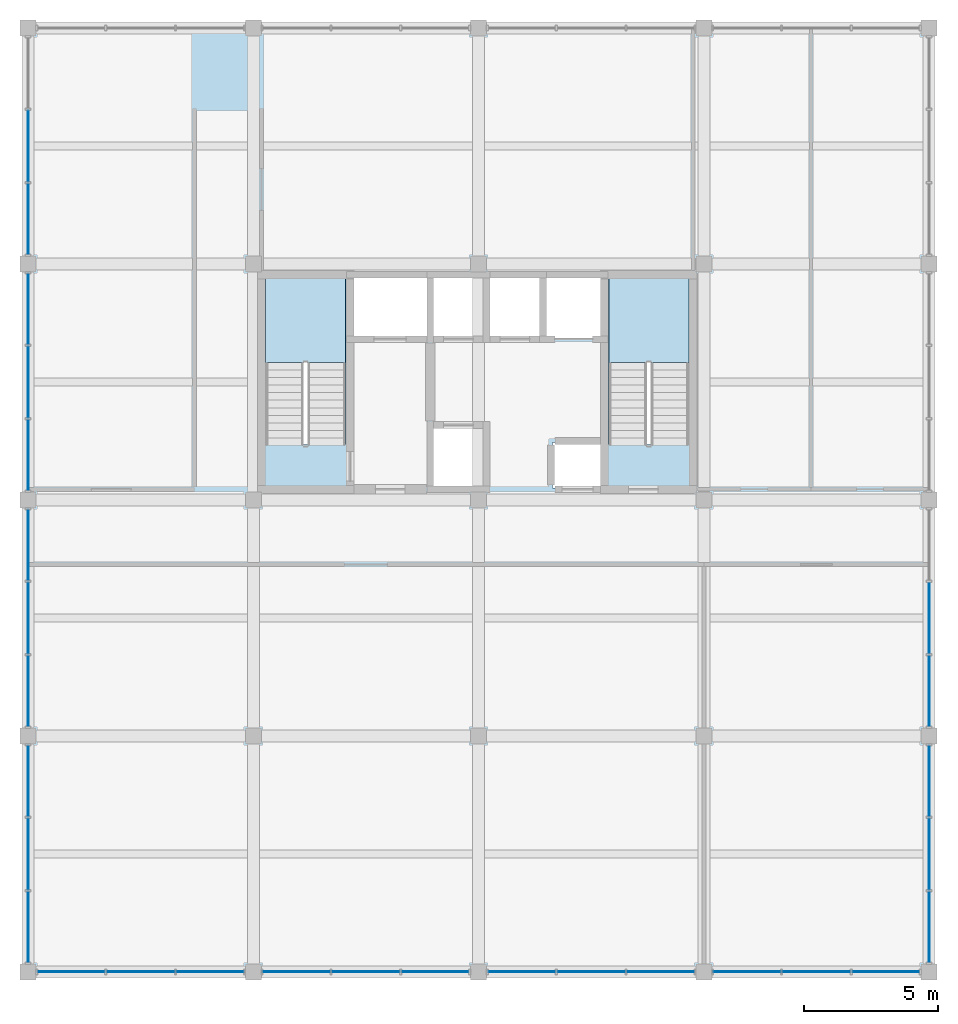
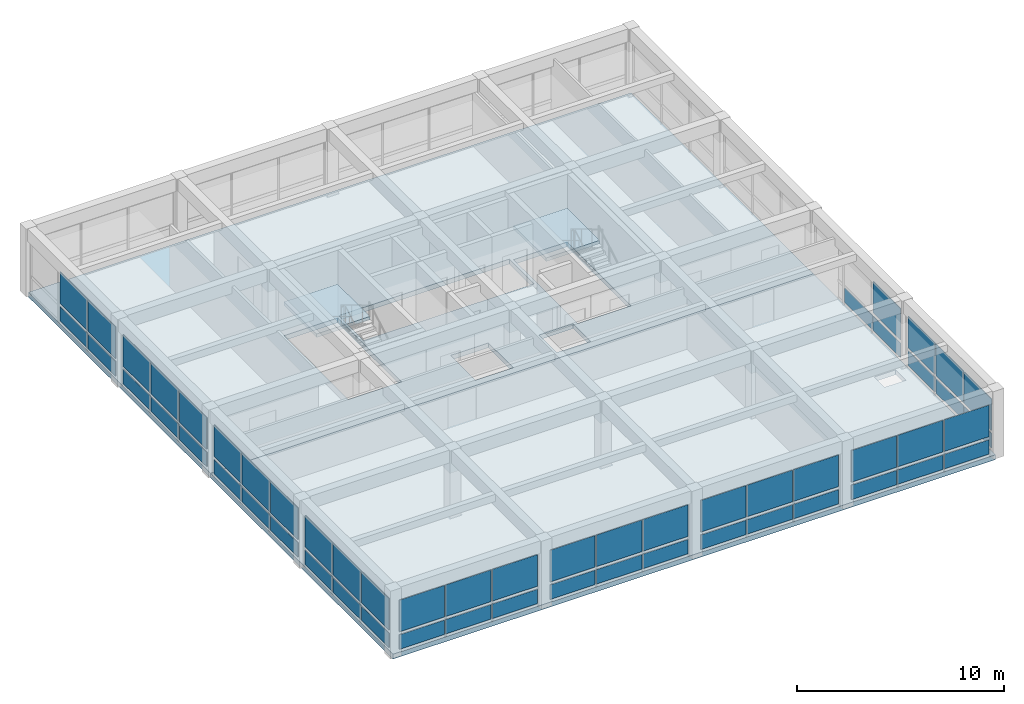
# One storey, part 8 of 14: 55 plates, 4 slabs, 12 elements without a shape of their own.
"""IFC4 building model written with IfcOpenShell, lengths in metres."""

import ifcopenshell
import ifcopenshell.guid

model = None  # the IFC model being written
_history = None  # IfcOwnerHistory: only IFC2X3 demands one
_inside = {}  # id of a spatial element -> (the spatial element, [elements in it])
_under = {}  # id of a project, library or spatial element -> (it, [spatial elements below it])
_declared = {}  # id of a project -> (the project, [libraries it declares])
_typed = {}  # id of a type object -> (the type object, [elements of that type])
_made_of = {}  # id of a material, layer set ... -> (it, [elements and type objects made of it])


def new_model(schema):
    """Start an empty IFC model of exactly this schema.

    Asked for "IFC4X3", IfcOpenShell would pick the latest addendum, in which some entities
    have other attributes; the version numbers below select the first issue.
    IFC2X3 requires an IfcOwnerHistory on every rooted entity: one is made here for all.
    """
    global model, _history
    if schema == "IFC4X3":
        model = ifcopenshell.file(schema_version=(4, 3, 0, 0))
    else:
        model = ifcopenshell.file(schema=schema)
    _inside.clear()
    _under.clear()
    _declared.clear()
    _typed.clear()
    _made_of.clear()
    _history = None
    if model.schema == "IFC2X3":
        org = make("IfcOrganization", Name="unknown")
        user = make(
            "IfcPersonAndOrganization",
            ThePerson=make("IfcPerson", FamilyName="unknown"),
            TheOrganization=org,
        )
        app = make(
            "IfcApplication",
            ApplicationDeveloper=org,
            Version="unknown",
            ApplicationFullName="unknown",
            ApplicationIdentifier="unknown",
        )
        _history = make(
            "IfcOwnerHistory",
            OwningUser=user,
            OwningApplication=app,
            ChangeAction="ADDED",
            CreationDate=0,
        )
    return model


def make(cls, **values):
    """One entity of the class cls with the attributes given. An attribute that is None is left unset."""
    return model.create_entity(
        cls, **{name: value for name, value in values.items() if value is not None}
    )


def rooted(cls, **values):
    """An entity with a GlobalId (a new one), such as an element, a storey or a relation."""
    return make(cls, GlobalId=ifcopenshell.guid.new(), OwnerHistory=_history, **values)


def si_unit(unit_type, name, prefix=None):
    """IfcSIUnit, for example si_unit("LENGTHUNIT", "METRE", prefix="MILLI")."""
    return make("IfcSIUnit", UnitType=unit_type, Prefix=prefix, Name=name)


def assignment(units):
    """IfcUnitAssignment: the units of a project."""
    return None if units is None else make("IfcUnitAssignment", Units=units)


def point(xyz):
    """IfcCartesianPoint."""
    return None if xyz is None else make("IfcCartesianPoint", Coordinates=xyz)


def direction(xyz):
    """IfcDirection."""
    return None if xyz is None else make("IfcDirection", DirectionRatios=xyz)


def frame(location, z_axis=None, x_axis=None):
    """IfcAxis2Placement3D, a coordinate frame: its origin and axes. An axis left out is left unset."""
    return make(
        "IfcAxis2Placement3D",
        Location=point(location),
        Axis=direction(z_axis),
        RefDirection=direction(x_axis),
    )


def frame_2d(location, x_axis=None):
    """IfcAxis2Placement2D, a coordinate frame in the plane: its origin and x axis."""
    return make(
        "IfcAxis2Placement2D", Location=point(location), RefDirection=direction(x_axis)
    )


def origin():
    """The frame at (0, 0, 0) with its axes left unset."""
    return frame((0.0, 0.0, 0.0))


def origin_2d():
    """The frame at (0, 0) in the plane with its x axis left unset."""
    return frame_2d((0.0, 0.0))


def place(relative_to, where):
    """IfcLocalPlacement: puts the frame where relative to a parent placement (None: the world)."""
    return make(
        "IfcLocalPlacement", PlacementRelTo=relative_to, RelativePlacement=where
    )


def context(
    kind, dimensions, precision=None, world=None, true_north=None, identifier=None
):
    """IfcGeometricRepresentationContext, for example the 3D "Model" context."""
    return make(
        "IfcGeometricRepresentationContext",
        ContextIdentifier=identifier,
        ContextType=kind,
        CoordinateSpaceDimension=dimensions,
        Precision=precision,
        WorldCoordinateSystem=world,
        TrueNorth=true_north,
    )


def subcontext(parent, identifier, kind, view, scale=None):
    """IfcGeometricRepresentationSubContext, for example "Body" below "Model"."""
    return make(
        "IfcGeometricRepresentationSubContext",
        ContextIdentifier=identifier,
        ContextType=kind,
        ParentContext=parent,
        TargetScale=scale,
        TargetView=view,
    )


def project(units=None, contexts=None):
    """IfcProject with its units and contexts."""
    return rooted(
        "IfcProject",
        Name="project",
        RepresentationContexts=contexts,
        UnitsInContext=assignment(units),
    )


def spatial(cls, under=None, at=None, **own):
    """A site, building, storey or space (cls), placed at a placement, below another one or the project."""
    s = rooted(cls, ObjectPlacement=at, **own)
    if under is not None:
        _under.setdefault(under.id(), (under, []))[1].append(s)
    return s


def polyline(points):
    """IfcPolyline through the points."""
    return make("IfcPolyline", Points=[point(p) for p in points])


def profile(cls, at=None, kind="AREA", **sizes):
    """A parametric profile (cls). Its sizes go by their IFC names, for example OverallWidth=200.0."""
    return make(cls, ProfileType=kind, Position=at, **sizes)


def rectangle(**sizes):
    """IfcRectangleProfileDef."""
    return profile("IfcRectangleProfileDef", **sizes)


def outline(outer, holes=None, kind="AREA"):
    """IfcArbitraryClosedProfileDef: a profile drawn as a closed curve; with holes, ...WithVoids."""
    if holes is None:
        return make("IfcArbitraryClosedProfileDef", ProfileType=kind, OuterCurve=outer)
    return make(
        "IfcArbitraryProfileDefWithVoids",
        ProfileType=kind,
        OuterCurve=outer,
        InnerCurves=holes,
    )


def extrude(swept, where, along, depth):
    """IfcExtrudedAreaSolid: the profile swept, set in the frame where, extruded along a direction by depth."""
    return make(
        "IfcExtrudedAreaSolid",
        SweptArea=swept,
        Position=where,
        ExtrudedDirection=direction(along),
        Depth=depth,
    )


def shape(context_of_items, identifier, shape_type, items):
    """IfcShapeRepresentation: the items that make up one representation, for example the "Body"."""
    return make(
        "IfcShapeRepresentation",
        ContextOfItems=context_of_items,
        RepresentationIdentifier=identifier,
        RepresentationType=shape_type,
        Items=items,
    )


def material(Name=None, Category=None):
    """IfcMaterial."""
    return make("IfcMaterial", Name=Name, Category=Category)


def layer(
    of_material, thickness, ventilated=None, Name=None, Category=None, Priority=None
):
    """IfcMaterialLayer: one layer of a wall or slab, of a material (None: an air gap)."""
    return make(
        "IfcMaterialLayer",
        Material=of_material,
        LayerThickness=thickness,
        IsVentilated=ventilated,
        Name=Name,
        Category=Category,
        Priority=Priority,
    )


def layer_set(layers, Name=None):
    """IfcMaterialLayerSet."""
    return make("IfcMaterialLayerSet", MaterialLayers=layers, LayerSetName=Name)


def made_of(thing, what):
    """Note that an element or type object is made of a material, layer set ...; save() writes the relation."""
    if what is not None:
        _made_of.setdefault(what.id(), (what, []))[1].append(thing)
    return thing


def type_object(cls, material=None, **own):
    """A type object (cls), such as IfcWallType, which elements share."""
    return made_of(rooted(cls, **own), material)


def element(
    cls,
    number,
    at=None,
    inside=None,
    cuts=None,
    type_object=None,
    material=None,
    context=None,
    identifier="Body",
    shape_type=None,
    held_by="IfcProductDefinitionShape",
    body=None,
    shapes=None,
    **own,
):
    """One element of the class cls, such as IfcWall. Its Tag is "e" and its number.

    at: its placement. inside: the storey or other place that contains it. cuts: it is an
    opening in that element (IfcRelVoidsElement). A single representation is given by context,
    identifier, shape_type and body (its items); several are given by shapes. held_by: the class
    of the entity that holds the representations. save() writes the other relations.
    """
    e = rooted(cls, Tag="e%d" % number, ObjectPlacement=at, **own)
    if body is not None:
        shapes = [shape(context, identifier, shape_type, body)]
    if shapes is not None:
        e.Representation = make(held_by, Representations=shapes)
    if inside is not None:
        _inside.setdefault(inside.id(), (inside, []))[1].append(e)
    if cuts is not None:
        rooted(
            "IfcRelVoidsElement", RelatingBuildingElement=cuts, RelatedOpeningElement=e
        )
    if type_object is not None:
        _typed.setdefault(type_object.id(), (type_object, []))[1].append(e)
    return made_of(e, material)


def aggregate(whole, parts):
    """IfcRelAggregates: a whole, such as a stair, and the parts it consists of."""
    return rooted("IfcRelAggregates", RelatingObject=whole, RelatedObjects=parts)


def save(model, path):
    """Write the relations noted so far, then the file.

    IfcRelAggregates (storeys below a building ...), IfcRelContainedInSpatialStructure (elements
    in a storey), IfcRelDefinesByType, IfcRelAssociatesMaterial and IfcRelDeclares: one each for
    every whole, place, type object, material and project.
    """
    for whole, parts in _under.values():
        aggregate(whole, parts)
    for where, things in _inside.values():
        rooted(
            "IfcRelContainedInSpatialStructure",
            RelatedElements=things,
            RelatingStructure=where,
        )
    for kind, things in _typed.values():
        rooted("IfcRelDefinesByType", RelatedObjects=things, RelatingType=kind)
    for what, things in _made_of.values():
        rooted("IfcRelAssociatesMaterial", RelatedObjects=things, RelatingMaterial=what)
    for by, libraries in _declared.values():
        rooted("IfcRelDeclares", RelatingContext=by, RelatedDefinitions=libraries)
    model.write(path)


model = new_model("IFC4")

# Units and contexts
model_context = context("Model", 3, precision=1e-05, world=origin(), true_north=direction((0.0, 1.0)))
body_context = subcontext(model_context, "Body", "Model", "MODEL_VIEW")
ifc_project = project(units=[si_unit("LENGTHUNIT", "METRE"), si_unit("AREAUNIT", "SQUARE_METRE"), si_unit("VOLUMEUNIT", "CUBIC_METRE"), si_unit("PLANEANGLEUNIT", "RADIAN"), si_unit("MASSUNIT", "GRAM", prefix="KILO")], contexts=[model_context])

# Site, building, storey
site_placement = place(None, origin())
site = spatial("IfcSite", under=ifc_project, at=site_placement, CompositionType="ELEMENT")
building_placement = place(site_placement, origin())
building = spatial("IfcBuilding", under=site, at=building_placement, Name="Kemercrest Conservatory and Botanical Centre", CompositionType="ELEMENT")
storey_placement = place(building_placement, frame((0.0, 0.0, 59.800048828125)))
storey = spatial("IfcBuildingStorey", under=building, at=storey_placement, Name="L15", CompositionType="ELEMENT", Elevation=59.800048828125)

# Curtain wall, plates
ifc_material_1 = material(Name="Thermally broken aluminium and triple low-e glazing", Category="aluminium")
curtain_wall_type_1 = type_object("IfcCurtainWallType", Name="CW-26", PredefinedType="USERDEFINED", material=ifc_material_1)
curtain_wall_1_placement = place(storey_placement, origin())
curtain_wall_1 = element("IfcCurtainWall", 1, at=curtain_wall_1_placement, inside=storey, type_object=curtain_wall_type_1, Name="Unitised curtain wall CW-26 (CW:L15:V4-145)", ObjectType="UNITISED CURTAIN WALL", PredefinedType="USERDEFINED")
ifc_material_2 = material(Name="Triple low-e argon insulated glazing unit", Category="glass")
ifc_layer_1 = layer(ifc_material_2, 0.035888671875)
ifc_layer_set_1 = layer_set([ifc_layer_1], Name="Triple low-e argon insulated glazing unit")
plate_type = type_object("IfcPlateType", Name="CW-PNL036", PredefinedType="CURTAIN_PANEL", material=ifc_layer_set_1)
plate_1_placement = place(storey_placement, frame((144.012939453125, 87.199951171875, 0.179931640625), z_axis=(0.0, 0.0, 1.0), x_axis=(1.0, 0.0, 0.0)))
plate_1 = element("IfcPlate", 2, at=plate_1_placement, type_object=plate_type, Name="CW-26 panel 1.1", PredefinedType="CURTAIN_PANEL", context=body_context, shape_type="SweptSolid", body=[
    extrude(rectangle(XDim=2.505859375, YDim=0.035888671875, at=origin_2d()), origin(), (0.0, 0.0, 1.0), 0.85009765625),
])
plate_2_placement = place(storey_placement, frame((144.012939453125, 87.199951171875, 1.2099609375), z_axis=(0.0, 0.0, 1.0), x_axis=(1.0, 0.0, 0.0)))
plate_2 = element("IfcPlate", 3, at=plate_2_placement, type_object=plate_type, Name="CW-26 panel 1.2", PredefinedType="CURTAIN_PANEL", context=body_context, shape_type="SweptSolid", body=[
    extrude(rectangle(XDim=2.505859375, YDim=0.035888671875, at=origin_2d()), origin(), (0.0, 0.0, 1.0), 1.864990234375),
])
plate_3_placement = place(storey_placement, frame((146.60009765625, 87.199951171875, 0.179931640625), z_axis=(0.0, 0.0, 1.0), x_axis=(1.0, 0.0, 0.0)))
plate_3 = element("IfcPlate", 4, at=plate_3_placement, type_object=plate_type, Name="CW-26 panel 2.1", PredefinedType="CURTAIN_PANEL", context=body_context, shape_type="SweptSolid", body=[
    extrude(rectangle(XDim=2.538330078125, YDim=0.035888671875, at=origin_2d()), origin(), (0.0, 0.0, 1.0), 0.85009765625),
])
plate_4_placement = place(storey_placement, frame((146.60009765625, 87.199951171875, 1.2099609375), z_axis=(0.0, 0.0, 1.0), x_axis=(1.0, 0.0, 0.0)))
plate_4 = element("IfcPlate", 5, at=plate_4_placement, type_object=plate_type, Name="CW-26 panel 2.2", PredefinedType="CURTAIN_PANEL", context=body_context, shape_type="SweptSolid", body=[
    extrude(rectangle(XDim=2.538330078125, YDim=0.035888671875, at=origin_2d()), origin(), (0.0, 0.0, 1.0), 1.864990234375),
])
plate_5_placement = place(storey_placement, frame((149.18701171875, 87.199951171875, 0.179931640625), z_axis=(0.0, 0.0, 1.0), x_axis=(1.0, 0.0, 0.0)))
plate_5 = element("IfcPlate", 6, at=plate_5_placement, type_object=plate_type, Name="CW-26 panel 3.1", PredefinedType="CURTAIN_PANEL", context=body_context, shape_type="SweptSolid", body=[
    extrude(rectangle(XDim=2.505859375, YDim=0.035888671875, at=origin_2d()), origin(), (0.0, 0.0, 1.0), 0.85009765625),
])
plate_6_placement = place(storey_placement, frame((149.18701171875, 87.199951171875, 1.2099609375), z_axis=(0.0, 0.0, 1.0), x_axis=(1.0, 0.0, 0.0)))
plate_6 = element("IfcPlate", 7, at=plate_6_placement, type_object=plate_type, Name="CW-26 panel 3.2", PredefinedType="CURTAIN_PANEL", context=body_context, shape_type="SweptSolid", body=[
    extrude(rectangle(XDim=2.505859375, YDim=0.035888671875, at=origin_2d()), origin(), (0.0, 0.0, 1.0), 1.864990234375),
])
aggregate(curtain_wall_1, [plate_1, plate_2, plate_3, plate_4, plate_5, plate_6])

curtain_wall_type_2 = type_object("IfcCurtainWallType", Name="CW-27", PredefinedType="USERDEFINED", material=ifc_material_1)
curtain_wall_2_placement = place(storey_placement, origin())
curtain_wall_2 = element("IfcCurtainWall", 8, at=curtain_wall_2_placement, inside=storey, type_object=curtain_wall_type_2, Name="Unitised curtain wall CW-27 (CW:L15:V4-146)", ObjectType="UNITISED CURTAIN WALL", PredefinedType="USERDEFINED")
plate_7_placement = place(storey_placement, frame((152.412841796875, 87.199951171875, 0.179931640625), z_axis=(0.0, 0.0, 1.0), x_axis=(1.0, 0.0, 0.0)))
plate_7 = element("IfcPlate", 9, at=plate_7_placement, type_object=plate_type, Name="CW-27 panel 1.1", PredefinedType="CURTAIN_PANEL", context=body_context, shape_type="SweptSolid", body=[
    extrude(rectangle(XDim=2.505859375, YDim=0.035888671875, at=origin_2d()), origin(), (0.0, 0.0, 1.0), 0.85009765625),
])
plate_8_placement = place(storey_placement, frame((152.412841796875, 87.199951171875, 1.2099609375), z_axis=(0.0, 0.0, 1.0), x_axis=(1.0, 0.0, 0.0)))
plate_8 = element("IfcPlate", 10, at=plate_8_placement, type_object=plate_type, Name="CW-27 panel 1.2", PredefinedType="CURTAIN_PANEL", context=body_context, shape_type="SweptSolid", body=[
    extrude(rectangle(XDim=2.505859375, YDim=0.035888671875, at=origin_2d()), origin(), (0.0, 0.0, 1.0), 1.864990234375),
])
plate_9_placement = place(storey_placement, frame((155.0, 87.199951171875, 0.179931640625), z_axis=(0.0, 0.0, 1.0), x_axis=(1.0, 0.0, 0.0)))
plate_9 = element("IfcPlate", 11, at=plate_9_placement, type_object=plate_type, Name="CW-27 panel 2.1", PredefinedType="CURTAIN_PANEL", context=body_context, shape_type="SweptSolid", body=[
    extrude(rectangle(XDim=2.538330078125, YDim=0.035888671875, at=origin_2d()), origin(), (0.0, 0.0, 1.0), 0.85009765625),
])
plate_10_placement = place(storey_placement, frame((155.0, 87.199951171875, 1.2099609375), z_axis=(0.0, 0.0, 1.0), x_axis=(1.0, 0.0, 0.0)))
plate_10 = element("IfcPlate", 12, at=plate_10_placement, type_object=plate_type, Name="CW-27 panel 2.2", PredefinedType="CURTAIN_PANEL", context=body_context, shape_type="SweptSolid", body=[
    extrude(rectangle(XDim=2.538330078125, YDim=0.035888671875, at=origin_2d()), origin(), (0.0, 0.0, 1.0), 1.864990234375),
])
plate_11_placement = place(storey_placement, frame((157.587158203125, 87.199951171875, 0.179931640625), z_axis=(0.0, 0.0, 1.0), x_axis=(1.0, 0.0, 0.0)))
plate_11 = element("IfcPlate", 13, at=plate_11_placement, type_object=plate_type, Name="CW-27 panel 3.1", PredefinedType="CURTAIN_PANEL", context=body_context, shape_type="SweptSolid", body=[
    extrude(rectangle(XDim=2.505859375, YDim=0.035888671875, at=origin_2d()), origin(), (0.0, 0.0, 1.0), 0.85009765625),
])
plate_12_placement = place(storey_placement, frame((157.587158203125, 87.199951171875, 1.2099609375), z_axis=(0.0, 0.0, 1.0), x_axis=(1.0, 0.0, 0.0)))
plate_12 = element("IfcPlate", 14, at=plate_12_placement, type_object=plate_type, Name="CW-27 panel 3.2", PredefinedType="CURTAIN_PANEL", context=body_context, shape_type="SweptSolid", body=[
    extrude(rectangle(XDim=2.505859375, YDim=0.035888671875, at=origin_2d()), origin(), (0.0, 0.0, 1.0), 1.864990234375),
])
aggregate(curtain_wall_2, [plate_7, plate_8, plate_9, plate_10, plate_11, plate_12])

curtain_wall_type_3 = type_object("IfcCurtainWallType", Name="CW-28", PredefinedType="USERDEFINED", material=ifc_material_1)
curtain_wall_3_placement = place(storey_placement, origin())
curtain_wall_3 = element("IfcCurtainWall", 15, at=curtain_wall_3_placement, inside=storey, type_object=curtain_wall_type_3, Name="Unitised curtain wall CW-28 (CW:L15:V4-147)", ObjectType="UNITISED CURTAIN WALL", PredefinedType="USERDEFINED")
plate_13_placement = place(storey_placement, frame((160.81298828125, 87.199951171875, 0.179931640625), z_axis=(0.0, 0.0, 1.0), x_axis=(1.0, 0.0, 0.0)))
plate_13 = element("IfcPlate", 16, at=plate_13_placement, type_object=plate_type, Name="CW-28 panel 1.1", PredefinedType="CURTAIN_PANEL", context=body_context, shape_type="SweptSolid", body=[
    extrude(rectangle(XDim=2.505859375, YDim=0.035888671875, at=origin_2d()), origin(), (0.0, 0.0, 1.0), 0.85009765625),
])
plate_14_placement = place(storey_placement, frame((160.81298828125, 87.199951171875, 1.2099609375), z_axis=(0.0, 0.0, 1.0), x_axis=(1.0, 0.0, 0.0)))
plate_14 = element("IfcPlate", 17, at=plate_14_placement, type_object=plate_type, Name="CW-28 panel 1.2", PredefinedType="CURTAIN_PANEL", context=body_context, shape_type="SweptSolid", body=[
    extrude(rectangle(XDim=2.505859375, YDim=0.035888671875, at=origin_2d()), origin(), (0.0, 0.0, 1.0), 1.864990234375),
])
plate_15_placement = place(storey_placement, frame((163.39990234375, 87.199951171875, 0.179931640625), z_axis=(0.0, 0.0, 1.0), x_axis=(1.0, 0.0, 0.0)))
plate_15 = element("IfcPlate", 18, at=plate_15_placement, type_object=plate_type, Name="CW-28 panel 2.1", PredefinedType="CURTAIN_PANEL", context=body_context, shape_type="SweptSolid", body=[
    extrude(rectangle(XDim=2.538330078125, YDim=0.035888671875, at=origin_2d()), origin(), (0.0, 0.0, 1.0), 0.85009765625),
])
plate_16_placement = place(storey_placement, frame((163.39990234375, 87.199951171875, 1.2099609375), z_axis=(0.0, 0.0, 1.0), x_axis=(1.0, 0.0, 0.0)))
plate_16 = element("IfcPlate", 19, at=plate_16_placement, type_object=plate_type, Name="CW-28 panel 2.2", PredefinedType="CURTAIN_PANEL", context=body_context, shape_type="SweptSolid", body=[
    extrude(rectangle(XDim=2.538330078125, YDim=0.035888671875, at=origin_2d()), origin(), (0.0, 0.0, 1.0), 1.864990234375),
])
plate_17_placement = place(storey_placement, frame((165.987060546875, 87.199951171875, 0.179931640625), z_axis=(0.0, 0.0, 1.0), x_axis=(1.0, 0.0, 0.0)))
plate_17 = element("IfcPlate", 20, at=plate_17_placement, type_object=plate_type, Name="CW-28 panel 3.1", PredefinedType="CURTAIN_PANEL", context=body_context, shape_type="SweptSolid", body=[
    extrude(rectangle(XDim=2.505859375, YDim=0.035888671875, at=origin_2d()), origin(), (0.0, 0.0, 1.0), 0.85009765625),
])
plate_18_placement = place(storey_placement, frame((165.987060546875, 87.199951171875, 1.2099609375), z_axis=(0.0, 0.0, 1.0), x_axis=(1.0, 0.0, 0.0)))
plate_18 = element("IfcPlate", 21, at=plate_18_placement, type_object=plate_type, Name="CW-28 panel 3.2", PredefinedType="CURTAIN_PANEL", context=body_context, shape_type="SweptSolid", body=[
    extrude(rectangle(XDim=2.505859375, YDim=0.035888671875, at=origin_2d()), origin(), (0.0, 0.0, 1.0), 1.864990234375),
])
aggregate(curtain_wall_3, [plate_13, plate_14, plate_15, plate_16, plate_17, plate_18])

curtain_wall_type_4 = type_object("IfcCurtainWallType", Name="CW-29", PredefinedType="USERDEFINED", material=ifc_material_1)
curtain_wall_4_placement = place(storey_placement, origin())
curtain_wall_4 = element("IfcCurtainWall", 22, at=curtain_wall_4_placement, inside=storey, type_object=curtain_wall_type_4, Name="Unitised curtain wall CW-29 (CW:L15:V4-148)", ObjectType="UNITISED CURTAIN WALL", PredefinedType="USERDEFINED")
plate_19_placement = place(storey_placement, frame((169.212890625, 87.199951171875, 0.179931640625), z_axis=(0.0, 0.0, 1.0), x_axis=(1.0, 0.0, 0.0)))
plate_19 = element("IfcPlate", 23, at=plate_19_placement, type_object=plate_type, Name="CW-29 panel 1.1", PredefinedType="CURTAIN_PANEL", context=body_context, shape_type="SweptSolid", body=[
    extrude(rectangle(XDim=2.505859375, YDim=0.035888671875, at=origin_2d()), origin(), (0.0, 0.0, 1.0), 0.85009765625),
])
plate_20_placement = place(storey_placement, frame((169.212890625, 87.199951171875, 1.2099609375), z_axis=(0.0, 0.0, 1.0), x_axis=(1.0, 0.0, 0.0)))
plate_20 = element("IfcPlate", 24, at=plate_20_placement, type_object=plate_type, Name="CW-29 panel 1.2", PredefinedType="CURTAIN_PANEL", context=body_context, shape_type="SweptSolid", body=[
    extrude(rectangle(XDim=2.505859375, YDim=0.035888671875, at=origin_2d()), origin(), (0.0, 0.0, 1.0), 1.864990234375),
])
plate_21_placement = place(storey_placement, frame((171.800048828125, 87.199951171875, 0.179931640625), z_axis=(0.0, 0.0, 1.0), x_axis=(1.0, 0.0, 0.0)))
plate_21 = element("IfcPlate", 25, at=plate_21_placement, type_object=plate_type, Name="CW-29 panel 2.1", PredefinedType="CURTAIN_PANEL", context=body_context, shape_type="SweptSolid", body=[
    extrude(rectangle(XDim=2.538330078125, YDim=0.035888671875, at=origin_2d()), origin(), (0.0, 0.0, 1.0), 0.85009765625),
])
plate_22_placement = place(storey_placement, frame((171.800048828125, 87.199951171875, 1.2099609375), z_axis=(0.0, 0.0, 1.0), x_axis=(1.0, 0.0, 0.0)))
plate_22 = element("IfcPlate", 26, at=plate_22_placement, type_object=plate_type, Name="CW-29 panel 2.2", PredefinedType="CURTAIN_PANEL", context=body_context, shape_type="SweptSolid", body=[
    extrude(rectangle(XDim=2.538330078125, YDim=0.035888671875, at=origin_2d()), origin(), (0.0, 0.0, 1.0), 1.864990234375),
])
plate_23_placement = place(storey_placement, frame((174.386962890625, 87.199951171875, 0.179931640625), z_axis=(0.0, 0.0, 1.0), x_axis=(1.0, 0.0, 0.0)))
plate_23 = element("IfcPlate", 27, at=plate_23_placement, type_object=plate_type, Name="CW-29 panel 3.1", PredefinedType="CURTAIN_PANEL", context=body_context, shape_type="SweptSolid", body=[
    extrude(rectangle(XDim=2.505859375, YDim=0.035888671875, at=origin_2d()), origin(), (0.0, 0.0, 1.0), 0.85009765625),
])
plate_24_placement = place(storey_placement, frame((174.386962890625, 87.199951171875, 1.2099609375), z_axis=(0.0, 0.0, 1.0), x_axis=(1.0, 0.0, 0.0)))
plate_24 = element("IfcPlate", 28, at=plate_24_placement, type_object=plate_type, Name="CW-29 panel 3.2", PredefinedType="CURTAIN_PANEL", context=body_context, shape_type="SweptSolid", body=[
    extrude(rectangle(XDim=2.505859375, YDim=0.035888671875, at=origin_2d()), origin(), (0.0, 0.0, 1.0), 1.864990234375),
])
aggregate(curtain_wall_4, [plate_19, plate_20, plate_21, plate_22, plate_23, plate_24])

curtain_wall_type_5 = type_object("IfcCurtainWallType", Name="CW-30", PredefinedType="USERDEFINED", material=ifc_material_1)
curtain_wall_5_placement = place(storey_placement, origin())
curtain_wall_5 = element("IfcCurtainWall", 29, at=curtain_wall_5_placement, inside=storey, type_object=curtain_wall_type_5, Name="Unitised curtain wall CW-30 (CW:L15:V4-149)", ObjectType="UNITISED CURTAIN WALL", PredefinedType="USERDEFINED")
plate_25_placement = place(storey_placement, frame((176.0, 88.879638671875, 0.179931640625), z_axis=(0.0, 0.0, 1.0), x_axis=(0.0, 1.0, 0.0)))
plate_25 = element("IfcPlate", 30, at=plate_25_placement, type_object=plate_type, Name="CW-30 panel 1.1", PredefinedType="CURTAIN_PANEL", context=body_context, shape_type="SweptSolid", body=[
    extrude(rectangle(XDim=2.63916015625, YDim=0.035888671875, at=origin_2d()), origin(), (0.0, 0.0, 1.0), 0.85009765625),
])
plate_26_placement = place(storey_placement, frame((176.0, 88.879638671875, 1.2099609375), z_axis=(0.0, 0.0, 1.0), x_axis=(0.0, 1.0, 0.0)))
plate_26 = element("IfcPlate", 31, at=plate_26_placement, type_object=plate_type, Name="CW-30 panel 1.2", PredefinedType="CURTAIN_PANEL", context=body_context, shape_type="SweptSolid", body=[
    extrude(rectangle(XDim=2.63916015625, YDim=0.035888671875, at=origin_2d()), origin(), (0.0, 0.0, 1.0), 1.864990234375),
])
plate_27_placement = place(storey_placement, frame((176.0, 91.60009765625, 0.179931640625), z_axis=(0.0, 0.0, 1.0), x_axis=(0.0, 1.0, 0.0)))
plate_27 = element("IfcPlate", 32, at=plate_27_placement, type_object=plate_type, Name="CW-30 panel 2.1", PredefinedType="CURTAIN_PANEL", context=body_context, shape_type="SweptSolid", body=[
    extrude(rectangle(XDim=2.671630859375, YDim=0.035888671875, at=origin_2d()), origin(), (0.0, 0.0, 1.0), 0.85009765625),
])
plate_28_placement = place(storey_placement, frame((176.0, 91.60009765625, 1.2099609375), z_axis=(0.0, 0.0, 1.0), x_axis=(0.0, 1.0, 0.0)))
plate_28 = element("IfcPlate", 33, at=plate_28_placement, type_object=plate_type, Name="CW-30 panel 2.2", PredefinedType="CURTAIN_PANEL", context=body_context, shape_type="SweptSolid", body=[
    extrude(rectangle(XDim=2.671630859375, YDim=0.035888671875, at=origin_2d()), origin(), (0.0, 0.0, 1.0), 1.864990234375),
])
plate_29_placement = place(storey_placement, frame((176.0, 94.3203125, 0.179931640625), z_axis=(0.0, 0.0, 1.0), x_axis=(0.0, 1.0, 0.0)))
plate_29 = element("IfcPlate", 34, at=plate_29_placement, type_object=plate_type, Name="CW-30 panel 3.1", PredefinedType="CURTAIN_PANEL", context=body_context, shape_type="SweptSolid", body=[
    extrude(rectangle(XDim=2.63916015625, YDim=0.035888671875, at=origin_2d()), origin(), (0.0, 0.0, 1.0), 0.85009765625),
])
plate_30_placement = place(storey_placement, frame((176.0, 94.3203125, 1.2099609375), z_axis=(0.0, 0.0, 1.0), x_axis=(0.0, 1.0, 0.0)))
plate_30 = element("IfcPlate", 35, at=plate_30_placement, type_object=plate_type, Name="CW-30 panel 3.2", PredefinedType="CURTAIN_PANEL", context=body_context, shape_type="SweptSolid", body=[
    extrude(rectangle(XDim=2.63916015625, YDim=0.035888671875, at=origin_2d()), origin(), (0.0, 0.0, 1.0), 1.864990234375),
])
aggregate(curtain_wall_5, [plate_25, plate_26, plate_27, plate_28, plate_29, plate_30])

curtain_wall_type_6 = type_object("IfcCurtainWallType", Name="CW-01", PredefinedType="USERDEFINED", material=ifc_material_1)
curtain_wall_6_placement = place(storey_placement, origin())
curtain_wall_6 = element("IfcCurtainWall", 36, at=curtain_wall_6_placement, inside=storey, type_object=curtain_wall_type_6, Name="Unitised curtain wall CW-01 (CW:L15:V4-150)", ObjectType="UNITISED CURTAIN WALL", PredefinedType="USERDEFINED")
plate_31_placement = place(storey_placement, frame((176.0, 97.6796875, 0.179931640625), z_axis=(0.0, 0.0, 1.0), x_axis=(0.0, 1.0, 0.0)))
plate_31 = element("IfcPlate", 37, at=plate_31_placement, type_object=plate_type, Name="CW-01 panel 1.1", PredefinedType="CURTAIN_PANEL", context=body_context, shape_type="SweptSolid", body=[
    extrude(rectangle(XDim=2.63916015625, YDim=0.035888671875, at=origin_2d()), origin(), (0.0, 0.0, 1.0), 0.85009765625),
])
plate_32_placement = place(storey_placement, frame((176.0, 97.6796875, 1.2099609375), z_axis=(0.0, 0.0, 1.0), x_axis=(0.0, 1.0, 0.0)))
plate_32 = element("IfcPlate", 38, at=plate_32_placement, type_object=plate_type, Name="CW-01 panel 1.2", PredefinedType="CURTAIN_PANEL", context=body_context, shape_type="SweptSolid", body=[
    extrude(rectangle(XDim=2.63916015625, YDim=0.035888671875, at=origin_2d()), origin(), (0.0, 0.0, 1.0), 1.864990234375),
])
plate_33_placement = place(storey_placement, frame((176.0, 100.39990234375, 0.179931640625), z_axis=(0.0, 0.0, 1.0), x_axis=(0.0, 1.0, 0.0)))
plate_33 = element("IfcPlate", 39, at=plate_33_placement, type_object=plate_type, Name="CW-01 panel 2.1", PredefinedType="CURTAIN_PANEL", context=body_context, shape_type="SweptSolid", body=[
    extrude(rectangle(XDim=2.671630859375, YDim=0.035888671875, at=origin_2d()), origin(), (0.0, 0.0, 1.0), 0.85009765625),
])
aggregate(curtain_wall_6, [plate_31, plate_32, plate_33])

curtain_wall_type_7 = type_object("IfcCurtainWallType", Name="CW-08", PredefinedType="USERDEFINED", material=ifc_material_1)
curtain_wall_7_placement = place(storey_placement, origin())
curtain_wall_7 = element("IfcCurtainWall", 40, at=curtain_wall_7_placement, inside=storey, type_object=curtain_wall_type_7, Name="Unitised curtain wall CW-08 (CW:L15:V4-157)", ObjectType="UNITISED CURTAIN WALL", PredefinedType="USERDEFINED")
plate_34_placement = place(storey_placement, frame((142.39990234375, 118.0, 0.179931640625), z_axis=(0.0, 0.0, 1.0), x_axis=(0.0, -1.0, 0.0)))
plate_34 = element("IfcPlate", 41, at=plate_34_placement, type_object=plate_type, Name="CW-08 panel 2.1", PredefinedType="CURTAIN_PANEL", context=body_context, shape_type="SweptSolid", body=[
    extrude(rectangle(XDim=2.671630859375, YDim=0.035888671875, at=origin_2d()), origin(), (0.0, 0.0, 1.0), 0.85009765625),
])
plate_35_placement = place(storey_placement, frame((142.39990234375, 118.0, 1.2099609375), z_axis=(0.0, 0.0, 1.0), x_axis=(0.0, -1.0, 0.0)))
plate_35 = element("IfcPlate", 42, at=plate_35_placement, type_object=plate_type, Name="CW-08 panel 2.2", PredefinedType="CURTAIN_PANEL", context=body_context, shape_type="SweptSolid", body=[
    extrude(rectangle(XDim=2.671630859375, YDim=0.035888671875, at=origin_2d()), origin(), (0.0, 0.0, 1.0), 1.864990234375),
])
plate_36_placement = place(storey_placement, frame((142.39990234375, 115.279541015625, 0.179931640625), z_axis=(0.0, 0.0, 1.0), x_axis=(0.0, -1.0, 0.0)))
plate_36 = element("IfcPlate", 43, at=plate_36_placement, type_object=plate_type, Name="CW-08 panel 3.1", PredefinedType="CURTAIN_PANEL", context=body_context, shape_type="SweptSolid", body=[
    extrude(rectangle(XDim=2.63916015625, YDim=0.035888671875, at=origin_2d()), origin(), (0.0, 0.0, 1.0), 0.85009765625),
])
plate_37_placement = place(storey_placement, frame((142.39990234375, 115.279541015625, 1.2099609375), z_axis=(0.0, 0.0, 1.0), x_axis=(0.0, -1.0, 0.0)))
plate_37 = element("IfcPlate", 44, at=plate_37_placement, type_object=plate_type, Name="CW-08 panel 3.2", PredefinedType="CURTAIN_PANEL", context=body_context, shape_type="SweptSolid", body=[
    extrude(rectangle(XDim=2.63916015625, YDim=0.035888671875, at=origin_2d()), origin(), (0.0, 0.0, 1.0), 1.864990234375),
])
aggregate(curtain_wall_7, [plate_34, plate_35, plate_36, plate_37])

curtain_wall_type_8 = type_object("IfcCurtainWallType", Name="CW-09", PredefinedType="USERDEFINED", material=ifc_material_1)
curtain_wall_8_placement = place(storey_placement, origin())
curtain_wall_8 = element("IfcCurtainWall", 45, at=curtain_wall_8_placement, inside=storey, type_object=curtain_wall_type_8, Name="Unitised curtain wall CW-09 (CW:L15:V4-158)", ObjectType="UNITISED CURTAIN WALL", PredefinedType="USERDEFINED")
plate_38_placement = place(storey_placement, frame((142.39990234375, 111.92041015625, 0.179931640625), z_axis=(0.0, 0.0, 1.0), x_axis=(0.0, -1.0, 0.0)))
plate_38 = element("IfcPlate", 46, at=plate_38_placement, type_object=plate_type, Name="CW-09 panel 1.1", PredefinedType="CURTAIN_PANEL", context=body_context, shape_type="SweptSolid", body=[
    extrude(rectangle(XDim=2.63916015625, YDim=0.035888671875, at=origin_2d()), origin(), (0.0, 0.0, 1.0), 0.85009765625),
])
plate_39_placement = place(storey_placement, frame((142.39990234375, 111.92041015625, 1.2099609375), z_axis=(0.0, 0.0, 1.0), x_axis=(0.0, -1.0, 0.0)))
plate_39 = element("IfcPlate", 47, at=plate_39_placement, type_object=plate_type, Name="CW-09 panel 1.2", PredefinedType="CURTAIN_PANEL", context=body_context, shape_type="SweptSolid", body=[
    extrude(rectangle(XDim=2.63916015625, YDim=0.035888671875, at=origin_2d()), origin(), (0.0, 0.0, 1.0), 1.864990234375),
])
plate_40_placement = place(storey_placement, frame((142.39990234375, 109.199951171875, 0.179931640625), z_axis=(0.0, 0.0, 1.0), x_axis=(0.0, -1.0, 0.0)))
plate_40 = element("IfcPlate", 48, at=plate_40_placement, type_object=plate_type, Name="CW-09 panel 2.1", PredefinedType="CURTAIN_PANEL", context=body_context, shape_type="SweptSolid", body=[
    extrude(rectangle(XDim=2.671630859375, YDim=0.035888671875, at=origin_2d()), origin(), (0.0, 0.0, 1.0), 0.85009765625),
])
plate_41_placement = place(storey_placement, frame((142.39990234375, 109.199951171875, 1.2099609375), z_axis=(0.0, 0.0, 1.0), x_axis=(0.0, -1.0, 0.0)))
plate_41 = element("IfcPlate", 49, at=plate_41_placement, type_object=plate_type, Name="CW-09 panel 2.2", PredefinedType="CURTAIN_PANEL", context=body_context, shape_type="SweptSolid", body=[
    extrude(rectangle(XDim=2.671630859375, YDim=0.035888671875, at=origin_2d()), origin(), (0.0, 0.0, 1.0), 1.864990234375),
])
plate_42_placement = place(storey_placement, frame((142.39990234375, 106.4794921875, 0.179931640625), z_axis=(0.0, 0.0, 1.0), x_axis=(0.0, -1.0, 0.0)))
plate_42 = element("IfcPlate", 50, at=plate_42_placement, type_object=plate_type, Name="CW-09 panel 3.1", PredefinedType="CURTAIN_PANEL", context=body_context, shape_type="SweptSolid", body=[
    extrude(rectangle(XDim=2.63916015625, YDim=0.035888671875, at=origin_2d()), origin(), (0.0, 0.0, 1.0), 0.85009765625),
])
plate_43_placement = place(storey_placement, frame((142.39990234375, 106.4794921875, 1.2099609375), z_axis=(0.0, 0.0, 1.0), x_axis=(0.0, -1.0, 0.0)))
plate_43 = element("IfcPlate", 51, at=plate_43_placement, type_object=plate_type, Name="CW-09 panel 3.2", PredefinedType="CURTAIN_PANEL", context=body_context, shape_type="SweptSolid", body=[
    extrude(rectangle(XDim=2.63916015625, YDim=0.035888671875, at=origin_2d()), origin(), (0.0, 0.0, 1.0), 1.864990234375),
])
aggregate(curtain_wall_8, [plate_38, plate_39, plate_40, plate_41, plate_42, plate_43])

curtain_wall_type_9 = type_object("IfcCurtainWallType", Name="CW-10", PredefinedType="USERDEFINED", material=ifc_material_1)
curtain_wall_9_placement = place(storey_placement, origin())
curtain_wall_9 = element("IfcCurtainWall", 52, at=curtain_wall_9_placement, inside=storey, type_object=curtain_wall_type_9, Name="Unitised curtain wall CW-10 (CW:L15:V4-159)", ObjectType="UNITISED CURTAIN WALL", PredefinedType="USERDEFINED")
plate_44_placement = place(storey_placement, frame((142.39990234375, 103.120361328125, 0.179931640625), z_axis=(0.0, 0.0, 1.0), x_axis=(0.0, -1.0, 0.0)))
plate_44 = element("IfcPlate", 53, at=plate_44_placement, type_object=plate_type, Name="CW-10 panel 1.1", PredefinedType="CURTAIN_PANEL", context=body_context, shape_type="SweptSolid", body=[
    extrude(rectangle(XDim=2.63916015625, YDim=0.035888671875, at=origin_2d()), origin(), (0.0, 0.0, 1.0), 0.85009765625),
])
plate_45_placement = place(storey_placement, frame((142.39990234375, 103.120361328125, 1.2099609375), z_axis=(0.0, 0.0, 1.0), x_axis=(0.0, -1.0, 0.0)))
plate_45 = element("IfcPlate", 54, at=plate_45_placement, type_object=plate_type, Name="CW-10 panel 1.2", PredefinedType="CURTAIN_PANEL", context=body_context, shape_type="SweptSolid", body=[
    extrude(rectangle(XDim=2.63916015625, YDim=0.035888671875, at=origin_2d()), origin(), (0.0, 0.0, 1.0), 1.864990234375),
])
plate_46_placement = place(storey_placement, frame((142.39990234375, 100.39990234375, 0.179931640625), z_axis=(0.0, 0.0, 1.0), x_axis=(0.0, -1.0, 0.0)))
plate_46 = element("IfcPlate", 55, at=plate_46_placement, type_object=plate_type, Name="CW-10 panel 2.1", PredefinedType="CURTAIN_PANEL", context=body_context, shape_type="SweptSolid", body=[
    extrude(rectangle(XDim=2.671630859375, YDim=0.035888671875, at=origin_2d()), origin(), (0.0, 0.0, 1.0), 0.85009765625),
])
plate_47_placement = place(storey_placement, frame((142.39990234375, 100.39990234375, 1.2099609375), z_axis=(0.0, 0.0, 1.0), x_axis=(0.0, -1.0, 0.0)))
plate_47 = element("IfcPlate", 56, at=plate_47_placement, type_object=plate_type, Name="CW-10 panel 2.2", PredefinedType="CURTAIN_PANEL", context=body_context, shape_type="SweptSolid", body=[
    extrude(rectangle(XDim=2.671630859375, YDim=0.035888671875, at=origin_2d()), origin(), (0.0, 0.0, 1.0), 1.864990234375),
])
plate_48_placement = place(storey_placement, frame((142.39990234375, 97.6796875, 0.179931640625), z_axis=(0.0, 0.0, 1.0), x_axis=(0.0, -1.0, 0.0)))
plate_48 = element("IfcPlate", 57, at=plate_48_placement, type_object=plate_type, Name="CW-10 panel 3.1", PredefinedType="CURTAIN_PANEL", context=body_context, shape_type="SweptSolid", body=[
    extrude(rectangle(XDim=2.63916015625, YDim=0.035888671875, at=origin_2d()), origin(), (0.0, 0.0, 1.0), 0.85009765625),
])
plate_49_placement = place(storey_placement, frame((142.39990234375, 97.6796875, 1.2099609375), z_axis=(0.0, 0.0, 1.0), x_axis=(0.0, -1.0, 0.0)))
plate_49 = element("IfcPlate", 58, at=plate_49_placement, type_object=plate_type, Name="CW-10 panel 3.2", PredefinedType="CURTAIN_PANEL", context=body_context, shape_type="SweptSolid", body=[
    extrude(rectangle(XDim=2.63916015625, YDim=0.035888671875, at=origin_2d()), origin(), (0.0, 0.0, 1.0), 1.864990234375),
])
aggregate(curtain_wall_9, [plate_44, plate_45, plate_46, plate_47, plate_48, plate_49])

curtain_wall_type_10 = type_object("IfcCurtainWallType", Name="CW-11", PredefinedType="USERDEFINED", material=ifc_material_1)
curtain_wall_10_placement = place(storey_placement, origin())
curtain_wall_10 = element("IfcCurtainWall", 59, at=curtain_wall_10_placement, inside=storey, type_object=curtain_wall_type_10, Name="Unitised curtain wall CW-11 (CW:L15:V4-160)", ObjectType="UNITISED CURTAIN WALL", PredefinedType="USERDEFINED")
plate_50_placement = place(storey_placement, frame((142.39990234375, 94.3203125, 0.179931640625), z_axis=(0.0, 0.0, 1.0), x_axis=(0.0, -1.0, 0.0)))
plate_50 = element("IfcPlate", 60, at=plate_50_placement, type_object=plate_type, Name="CW-11 panel 1.1", PredefinedType="CURTAIN_PANEL", context=body_context, shape_type="SweptSolid", body=[
    extrude(rectangle(XDim=2.63916015625, YDim=0.035888671875, at=origin_2d()), origin(), (0.0, 0.0, 1.0), 0.85009765625),
])
plate_51_placement = place(storey_placement, frame((142.39990234375, 94.3203125, 1.2099609375), z_axis=(0.0, 0.0, 1.0), x_axis=(0.0, -1.0, 0.0)))
plate_51 = element("IfcPlate", 61, at=plate_51_placement, type_object=plate_type, Name="CW-11 panel 1.2", PredefinedType="CURTAIN_PANEL", context=body_context, shape_type="SweptSolid", body=[
    extrude(rectangle(XDim=2.63916015625, YDim=0.035888671875, at=origin_2d()), origin(), (0.0, 0.0, 1.0), 1.864990234375),
])
plate_52_placement = place(storey_placement, frame((142.39990234375, 91.60009765625, 0.179931640625), z_axis=(0.0, 0.0, 1.0), x_axis=(0.0, -1.0, 0.0)))
plate_52 = element("IfcPlate", 62, at=plate_52_placement, type_object=plate_type, Name="CW-11 panel 2.1", PredefinedType="CURTAIN_PANEL", context=body_context, shape_type="SweptSolid", body=[
    extrude(rectangle(XDim=2.671630859375, YDim=0.035888671875, at=origin_2d()), origin(), (0.0, 0.0, 1.0), 0.85009765625),
])
plate_53_placement = place(storey_placement, frame((142.39990234375, 91.60009765625, 1.2099609375), z_axis=(0.0, 0.0, 1.0), x_axis=(0.0, -1.0, 0.0)))
plate_53 = element("IfcPlate", 63, at=plate_53_placement, type_object=plate_type, Name="CW-11 panel 2.2", PredefinedType="CURTAIN_PANEL", context=body_context, shape_type="SweptSolid", body=[
    extrude(rectangle(XDim=2.671630859375, YDim=0.035888671875, at=origin_2d()), origin(), (0.0, 0.0, 1.0), 1.864990234375),
])
plate_54_placement = place(storey_placement, frame((142.39990234375, 88.879638671875, 0.179931640625), z_axis=(0.0, 0.0, 1.0), x_axis=(0.0, -1.0, 0.0)))
plate_54 = element("IfcPlate", 64, at=plate_54_placement, type_object=plate_type, Name="CW-11 panel 3.1", PredefinedType="CURTAIN_PANEL", context=body_context, shape_type="SweptSolid", body=[
    extrude(rectangle(XDim=2.63916015625, YDim=0.035888671875, at=origin_2d()), origin(), (0.0, 0.0, 1.0), 0.85009765625),
])
plate_55_placement = place(storey_placement, frame((142.39990234375, 88.879638671875, 1.2099609375), z_axis=(0.0, 0.0, 1.0), x_axis=(0.0, -1.0, 0.0)))
plate_55 = element("IfcPlate", 65, at=plate_55_placement, type_object=plate_type, Name="CW-11 panel 3.2", PredefinedType="CURTAIN_PANEL", context=body_context, shape_type="SweptSolid", body=[
    extrude(rectangle(XDim=2.63916015625, YDim=0.035888671875, at=origin_2d()), origin(), (0.0, 0.0, 1.0), 1.864990234375),
])
aggregate(curtain_wall_10, [plate_50, plate_51, plate_52, plate_53, plate_54, plate_55])

# Slabs
ifc_material_3 = material(Name="Concrete C40/50", Category="concrete")
ifc_layer_2 = layer(ifc_material_3, 0.280029296875)
ifc_layer_set_2 = layer_set([ifc_layer_2], Name="Concrete C40/50")
slab_type_1 = type_object("IfcSlabType", Name="SL-FL280", PredefinedType="FLOOR", material=ifc_layer_set_2)
slab_1_placement = place(storey_placement, frame((0.0, 0.0, -0.280029296875)))
element("IfcSlab", 66, at=slab_1_placement, inside=storey, type_object=slab_type_1, Name="V4 Tower L15 North Core and Studio Slab", PredefinedType="FLOOR", context=body_context, shape_type="SweptSolid", body=[
    extrude(outline(polyline([(142.39990234375, 122.39990234375), (142.39990234375, 104.800048828125), (176.0, 104.800048828125), (176.0, 122.39990234375), (142.39990234375, 122.39990234375)]), holes=[polyline([(164.06005859375, 106.864990234375), (164.06005859375, 113.06005859375), (167.0400390625, 113.06005859375), (167.0400390625, 106.864990234375), (164.06005859375, 106.864990234375)]), polyline([(154.39990234375, 110.800048828125), (154.39990234375, 113.199951171875), (163.89990234375, 113.199951171875), (163.89990234375, 110.800048828125), (154.39990234375, 110.800048828125)]), polyline([(161.949951171875, 105.25), (161.949951171875, 106.949951171875), (163.85009765625, 106.949951171875), (163.85009765625, 105.25), (161.949951171875, 105.25)]), polyline([(157.39990234375, 105.199951171875), (157.39990234375, 107.60009765625), (159.5, 107.60009765625), (159.5, 105.199951171875), (157.39990234375, 105.199951171875)]), polyline([(154.239990234375, 106.864990234375), (151.260009765625, 106.864990234375), (151.260009765625, 113.06005859375), (154.239990234375, 113.06005859375), (154.239990234375, 106.864990234375)])]), origin(), (0.0, 0.0, 1.0), 0.280029296875),
])
slab_2_placement = place(storey_placement, frame((0.0, 0.0, -0.280029296875)))
element("IfcSlab", 67, at=slab_2_placement, inside=storey, type_object=slab_type_1, Name="V4 Tower L15 South Laboratory Slab", PredefinedType="FLOOR", context=body_context, shape_type="SweptSolid", body=[
    extrude(outline(polyline([(142.39990234375, 104.800048828125), (142.39990234375, 87.199951171875), (176.0, 87.199951171875), (176.0, 104.800048828125), (142.39990234375, 104.800048828125)]), holes=[polyline([(175.39990234375, 94.800048828125), (174.199951171875, 94.800048828125), (174.199951171875, 95.800048828125), (175.39990234375, 95.800048828125), (175.39990234375, 94.800048828125)])]), origin(), (0.0, 0.0, 1.0), 0.280029296875),
])

# Stair, slab
stair_type = type_object("IfcStairType", Name="ST-142-40", PredefinedType="HALF_TURN_STAIR", material=ifc_material_3)
stair_1_placement = place(storey_placement, origin())
stair_1 = element("IfcStair", 68, at=stair_1_placement, inside=storey, type_object=stair_type, Name="L15 Exit stair ST-V4A", PredefinedType="HALF_TURN_STAIR")
ifc_layer_3 = layer(ifc_material_3, 0.199951171875)
ifc_layer_set_3 = layer_set([ifc_layer_3], Name="Concrete C40/50")
slab_type_2 = type_object("IfcSlabType", Name="SL-LND200", PredefinedType="LANDING", material=ifc_layer_set_3)
slab_3_placement = place(storey_placement, frame((0.0, 0.0, 1.800048828125)))
slab_3 = element("IfcSlab", 69, at=slab_3_placement, type_object=slab_type_2, Name="ST-V4A landing 1", PredefinedType="LANDING", context=body_context, shape_type="SweptSolid", body=[
    extrude(outline(polyline([(154.239990234375, 109.919921875), (154.239990234375, 113.06005859375), (151.260009765625, 113.06005859375), (151.260009765625, 109.919921875), (154.239990234375, 109.919921875)])), origin(), (0.0, 0.0, 1.0), 0.199951171875),
])
aggregate(stair_1, [slab_3])

stair_2_placement = place(storey_placement, origin())
stair_2 = element("IfcStair", 70, at=stair_2_placement, inside=storey, type_object=stair_type, Name="L15 Exit stair ST-V4B", PredefinedType="HALF_TURN_STAIR")
slab_4_placement = place(storey_placement, frame((0.0, 0.0, 1.800048828125)))
slab_4 = element("IfcSlab", 71, at=slab_4_placement, type_object=slab_type_2, Name="ST-V4B landing 1", PredefinedType="LANDING", context=body_context, shape_type="SweptSolid", body=[
    extrude(outline(polyline([(167.0400390625, 109.919921875), (167.0400390625, 113.06005859375), (164.06005859375, 113.06005859375), (164.06005859375, 109.919921875), (167.0400390625, 109.919921875)])), origin(), (0.0, 0.0, 1.0), 0.199951171875),
])
aggregate(stair_2, [slab_4])

save(model, "model.ifc")
